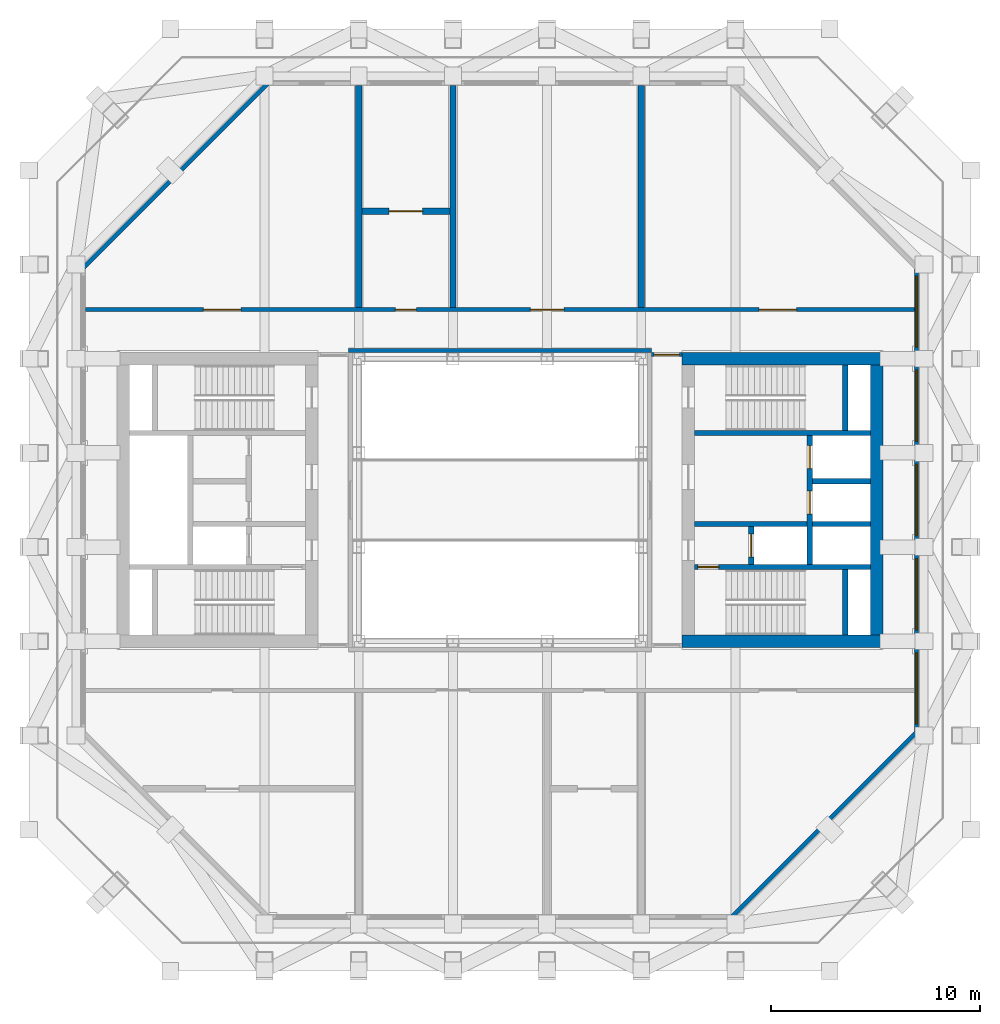
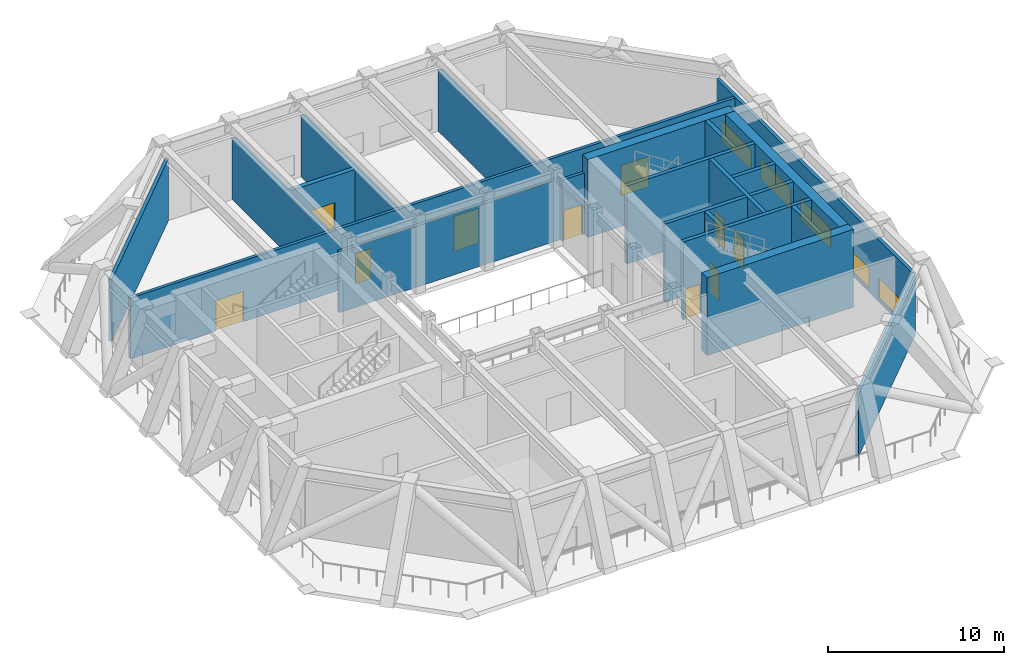
# One storey, part 4 of 8: 22 walls, 10 doors, 5 windows, 15 openings.
"""IFC4 building model written with IfcOpenShell, lengths in metres."""

from ifc_helpers import new_model, si_unit, direction, frame, frame_2d, origin, place, context, subcontext, project, spatial, rectangle, extrude, material, layer, layer_set, type_object, element, fill, save


model = new_model("IFC4")

# Units and contexts
model_context = context("Model", 3, precision=1e-05, world=origin(), true_north=direction((0.0, 1.0)))
body_context = subcontext(model_context, "Body", "Model", "MODEL_VIEW")
ifc_project = project(units=[si_unit("LENGTHUNIT", "METRE"), si_unit("AREAUNIT", "SQUARE_METRE"), si_unit("VOLUMEUNIT", "CUBIC_METRE"), si_unit("PLANEANGLEUNIT", "RADIAN"), si_unit("MASSUNIT", "GRAM", prefix="KILO")], contexts=[model_context])

# Site, building, storey
site_placement = place(None, origin())
site = spatial("IfcSite", under=ifc_project, at=site_placement, CompositionType="ELEMENT")
building_placement = place(site_placement, origin())
building = spatial("IfcBuilding", under=site, at=building_placement, Name="Msasa Ring Tower", CompositionType="ELEMENT")
storey_placement = place(building_placement, frame((0.0, 0.0, 190.39990234375)))
storey = spatial("IfcBuildingStorey", under=building, at=storey_placement, Name="L50", CompositionType="ELEMENT", Elevation=190.39990234375)

# Walls
ifc_material_1 = material(Name="Concrete C60/75", Category="concrete")
ifc_layer_1 = layer(ifc_material_1, 0.60009765625)
ifc_layer_set_1 = layer_set([ifc_layer_1], Name="CW2 CORE WALL 600")
wall_type_1 = type_object("IfcWallType", Name="CW2 CORE WALL 600", PredefinedType="SHEAR", material=ifc_layer_set_1)
for number, where, z_axis, x_axis, name in (
    (1, (8.699951171875, -6.75, 0.0), (0.0, 0.0, 1.0), (1.0, 0.0, 0.0), "E core wall S L50"),
    (2, (8.699951171875, 6.75, 0.0), (0.0, 0.0, 1.0), (1.0, 0.0, 0.0), "E core wall N L50"),
):
    element("IfcWall", number, at=place(storey_placement, frame(where, z_axis=z_axis, x_axis=x_axis)), inside=storey, type_object=wall_type_1, Name=name, PredefinedType="SHEAR", context=body_context, shape_type="SweptSolid", body=[
        extrude(rectangle(XDim=9.60009765625, YDim=0.60009765625, at=frame_2d((4.800048828125, 0.0))), origin(), (0.0, 0.0, 1.0), 5.400146484375),
    ])
wall_1_placement = place(storey_placement, frame((18.0, -6.449951171875, 0.0), z_axis=(0.0, 0.0, 1.0), x_axis=(0.0, 1.0, 0.0)))
element("IfcWall", 3, at=wall_1_placement, inside=storey, type_object=wall_type_1, Name="E core wall E L50", PredefinedType="SHEAR", context=body_context, shape_type="SweptSolid", body=[
    extrude(rectangle(XDim=12.89990234375, YDim=0.60009765625, at=frame_2d((6.449951171875, 0.0))), origin(), (0.0, 0.0, 1.0), 5.400146484375),
])

# Wall, opening, door
ifc_material_2 = material(Name="Concrete C60/75", Category="concrete")
ifc_layer_2 = layer(ifc_material_2, 0.25)
ifc_layer_set_2 = layer_set([ifc_layer_2], Name="CW4 CORE INNER WALL 250")
wall_type_2 = type_object("IfcWallType", Name="CW4 CORE INNER WALL 250", PredefinedType="SHEAR", material=ifc_layer_set_2)
wall_2_placement = place(storey_placement, frame((9.300048828125, -3.199951171875, 0.0), z_axis=(0.0, 0.0, 1.0), x_axis=(1.0, 0.0, 0.0)))
wall_2 = element("IfcWall", 4, at=wall_2_placement, inside=storey, type_object=wall_type_2, Name="E core wall STAIRA L50", PredefinedType="SHEAR", context=body_context, shape_type="SweptSolid", body=[
    extrude(rectangle(XDim=8.39990234375, YDim=0.25, at=frame_2d((4.199951171875, 0.0))), origin(), (0.0, 0.0, 1.0), 5.400146484375),
])
opening_1_placement = place(wall_2_placement, frame((0.14990234375, 0.0, 0.0)))
opening_1 = element("IfcOpeningElement", 5, at=opening_1_placement, cuts=wall_2, Name="Opening L50-021", PredefinedType="OPENING", context=body_context, shape_type="SweptSolid", body=[
    extrude(rectangle(XDim=1.0, YDim=2.10009765625, at=frame_2d((0.5, 1.050048828125))), frame((0.0, 0.135009765625, 0.0), z_axis=(0.0, -1.0, 0.0), x_axis=(1.0, 0.0, 0.0)), (0.0, 0.0, 1.0), 0.27001953125),
])
ifc_material_3 = material(Name="Timber door leaf in a steel frame", Category="steel")
door_type_1 = type_object("IfcDoorType", Name="D6 STAIR DOOR 1000x2100", OperationType="SINGLE_SWING_LEFT", PredefinedType="DOOR", material=ifc_material_3)
door_1_placement = place(opening_1_placement, origin())
door_1 = element("IfcDoor", 6, at=door_1_placement, inside=storey, type_object=door_type_1, Name="Door L50-ESTA", OperationType="SINGLE_SWING_LEFT", OverallHeight=2.10009765625, OverallWidth=1.0, PredefinedType="DOOR", context=body_context, shape_type="SweptSolid", body=[
    extrude(rectangle(XDim=1.0, YDim=2.10009765625, at=frame_2d((0.5, 1.050048828125))), frame((0.0, 0.02490234375, 0.0), z_axis=(0.0, -1.0, 0.0), x_axis=(1.0, 0.0, 0.0)), (0.0, 0.0, 1.0), 0.050048828125),
])
fill(opening_1, door_1)

# Walls
wall_3_placement = place(storey_placement, frame((9.300048828125, 3.199951171875, 0.0), z_axis=(0.0, 0.0, 1.0), x_axis=(1.0, 0.0, 0.0)))
element("IfcWall", 7, at=wall_3_placement, inside=storey, type_object=wall_type_2, Name="E core wall STAIRB L50", PredefinedType="SHEAR", context=body_context, shape_type="SweptSolid", body=[
    extrude(rectangle(XDim=8.39990234375, YDim=0.25, at=frame_2d((4.199951171875, 0.0))), origin(), (0.0, 0.0, 1.0), 5.400146484375),
])
for number, where, z_axis, x_axis, name in (
    (8, (16.5, -6.449951171875, 0.0), (0.0, 0.0, 1.0), (0.0, 1.0, 0.0), "E core wall RISERA L50"),
    (9, (16.5, 3.324951171875, 0.0), (0.0, 0.0, 1.0), (0.0, 1.0, 0.0), "E core wall RISERB L50"),
):
    element("IfcWall", number, at=place(storey_placement, frame(where, z_axis=z_axis, x_axis=x_axis)), inside=storey, type_object=wall_type_2, Name=name, PredefinedType="SHEAR", context=body_context, shape_type="SweptSolid", body=[
        extrude(rectangle(XDim=3.125, YDim=0.25, at=frame_2d((1.5625, 0.0))), origin(), (0.0, 0.0, 1.0), 5.400146484375),
    ])
wall_4_placement = place(storey_placement, frame((9.300048828125, -1.14990234375, 0.0), z_axis=(0.0, 0.0, 1.0), x_axis=(1.0, 0.0, 0.0)))
element("IfcWall", 10, at=wall_4_placement, inside=storey, type_object=wall_type_2, Name="E core wall FFL L50", PredefinedType="SHEAR", context=body_context, shape_type="SweptSolid", body=[
    extrude(rectangle(XDim=5.375, YDim=0.25, at=frame_2d((2.6875, 0.0))), origin(), (0.0, 0.0, 1.0), 5.400146484375),
])

# Wall, opening, door
wall_5_placement = place(storey_placement, frame((12.0, -3.074951171875, 0.0), z_axis=(0.0, 0.0, 1.0), x_axis=(0.0, 1.0, 0.0)))
wall_5 = element("IfcWall", 11, at=wall_5_placement, inside=storey, type_object=wall_type_2, Name="E core wall LOBBY L50", PredefinedType="SHEAR", context=body_context, shape_type="SweptSolid", body=[
    extrude(rectangle(XDim=1.800048828125, YDim=0.25, at=frame_2d((0.89990234375, 0.0))), origin(), (0.0, 0.0, 1.0), 5.400146484375),
])
opening_2_placement = place(wall_5_placement, frame((0.35009765625, 0.0, 0.0)))
opening_2 = element("IfcOpeningElement", 12, at=opening_2_placement, cuts=wall_5, Name="Opening LD1", PredefinedType="OPENING", context=body_context, shape_type="SweptSolid", body=[
    extrude(rectangle(XDim=1.10009765625, YDim=2.10009765625, at=frame_2d((0.550048828125, 1.050048828125))), frame((0.0, 0.135009765625, 0.0), z_axis=(0.0, -1.0, 0.0), x_axis=(1.0, 0.0, 0.0)), (0.0, 0.0, 1.0), 0.27001953125),
])
ifc_material_4 = material(Name="Stainless steel lift landing door", Category="steel")
door_type_2 = type_object("IfcDoorType", Name="LD1 LIFT LANDING DOOR 1100x2100", OperationType="DOUBLE_DOOR_SLIDING", PredefinedType="DOOR", material=ifc_material_4)
door_2_placement = place(opening_2_placement, origin())
door_2 = element("IfcDoor", 13, at=door_2_placement, inside=storey, type_object=door_type_2, Name="Lift landing door FL-E L50", OperationType="DOUBLE_DOOR_SLIDING", OverallHeight=2.10009765625, OverallWidth=1.10009765625, PredefinedType="DOOR", context=body_context, shape_type="SweptSolid", body=[
    extrude(rectangle(XDim=1.10009765625, YDim=2.10009765625, at=frame_2d((0.550048828125, 1.050048828125))), frame((0.0, 0.02490234375, 0.0), z_axis=(0.0, -1.0, 0.0), x_axis=(1.0, 0.0, 0.0)), (0.0, 0.0, 1.0), 0.050048828125),
])
fill(opening_2, door_2)

# Wall, openings, doors
wall_6_placement = place(storey_placement, frame((14.800048828125, -3.074951171875, 0.0), z_axis=(0.0, 0.0, 1.0), x_axis=(0.0, 1.0, 0.0)))
wall_6 = element("IfcWall", 14, at=wall_6_placement, inside=storey, type_object=wall_type_2, Name="E core wall SHAFT L50", PredefinedType="SHEAR", context=body_context, shape_type="SweptSolid", body=[
    extrude(rectangle(XDim=6.14990234375, YDim=0.25, at=frame_2d((3.074951171875, 0.0))), origin(), (0.0, 0.0, 1.0), 5.400146484375),
])
opening_3_placement = place(wall_6_placement, frame((2.39990234375, 0.0, 0.0)))
opening_3 = element("IfcOpeningElement", 15, at=opening_3_placement, cuts=wall_6, Name="Opening LD1", PredefinedType="OPENING", context=body_context, shape_type="SweptSolid", body=[
    extrude(rectangle(XDim=1.10009765625, YDim=2.10009765625, at=frame_2d((0.550048828125, 1.050048828125))), frame((0.0, 0.135009765625, 0.0), z_axis=(0.0, -1.0, 0.0), x_axis=(1.0, 0.0, 0.0)), (0.0, 0.0, 1.0), 0.27001953125),
])
opening_4_placement = place(wall_6_placement, frame((4.574951171875, 0.0, 0.0)))
opening_4 = element("IfcOpeningElement", 16, at=opening_4_placement, cuts=wall_6, Name="Opening LD1", PredefinedType="OPENING", context=body_context, shape_type="SweptSolid", body=[
    extrude(rectangle(XDim=1.10009765625, YDim=2.10009765625, at=frame_2d((0.550048828125, 1.050048828125))), frame((0.0, 0.135009765625, 0.0), z_axis=(0.0, -1.0, 0.0), x_axis=(1.0, 0.0, 0.0)), (0.0, 0.0, 1.0), 0.27001953125),
])
door_3_placement = place(opening_3_placement, origin())
door_3 = element("IfcDoor", 17, at=door_3_placement, inside=storey, type_object=door_type_2, Name="Lift landing door PL-H1 L50", OperationType="DOUBLE_DOOR_SLIDING", OverallHeight=2.10009765625, OverallWidth=1.10009765625, PredefinedType="DOOR", context=body_context, shape_type="SweptSolid", body=[
    extrude(rectangle(XDim=1.10009765625, YDim=2.10009765625, at=frame_2d((0.550048828125, 1.050048828125))), frame((0.0, 0.02490234375, 0.0), z_axis=(0.0, -1.0, 0.0), x_axis=(1.0, 0.0, 0.0)), (0.0, 0.0, 1.0), 0.050048828125),
])
fill(opening_3, door_3)
door_4_placement = place(opening_4_placement, origin())
door_4 = element("IfcDoor", 18, at=door_4_placement, inside=storey, type_object=door_type_2, Name="Lift landing door PL-H2 L50", OperationType="DOUBLE_DOOR_SLIDING", OverallHeight=2.10009765625, OverallWidth=1.10009765625, PredefinedType="DOOR", context=body_context, shape_type="SweptSolid", body=[
    extrude(rectangle(XDim=1.10009765625, YDim=2.10009765625, at=frame_2d((0.550048828125, 1.050048828125))), frame((0.0, 0.02490234375, 0.0), z_axis=(0.0, -1.0, 0.0), x_axis=(1.0, 0.0, 0.0)), (0.0, 0.0, 1.0), 0.050048828125),
])
fill(opening_4, door_4)

# Walls
for number, where, z_axis, x_axis, name in (
    (19, (14.925048828125, -1.14990234375, 0.0), (0.0, 0.0, 1.0), (1.0, 0.0, 0.0), "E core wall HSEP L50"),
    (20, (14.925048828125, 0.89990234375, 0.0), (0.0, 0.0, 1.0), (1.0, 0.0, 0.0), "E core wall HLIFT L50"),
):
    element("IfcWall", number, at=place(storey_placement, frame(where, z_axis=z_axis, x_axis=x_axis)), inside=storey, type_object=wall_type_2, Name=name, PredefinedType="SHEAR", context=body_context, shape_type="SweptSolid", body=[
        extrude(rectangle(XDim=2.77490234375, YDim=0.25, at=frame_2d((1.387451171875, 0.0))), origin(), (0.0, 0.0, 1.0), 5.400146484375),
    ])
ifc_material_5 = material(Name="Terracotta rainscreen on blockwork", Category="masonry")
ifc_layer_3 = layer(ifc_material_5, 0.199951171875)
ifc_layer_set_3 = layer_set([ifc_layer_3], Name="FW3 PLANT FLOOR WALL 200")
wall_type_3 = type_object("IfcWallType", Name="FW3 PLANT FLOOR WALL 200", PredefinedType="SOLIDWALL", material=ifc_layer_set_3)
wall_7_placement = place(storey_placement, frame((11.10498046875, -19.89990234375, 0.0), z_axis=(0.0, 0.0, 1.0), x_axis=(0.707106781187, 0.707106781187, 0.0)))
element("IfcWall", 21, at=wall_7_placement, inside=storey, type_object=wall_type_3, Name="Plant floor wall SE L50", PredefinedType="SOLIDWALL", context=body_context, shape_type="SweptSolid", body=[
    extrude(rectangle(XDim=12.43798828125, YDim=0.199951171875, at=frame_2d((6.218994140625, 0.0))), origin(), (0.0, 0.0, 1.0), 4.29931640625),
])

# Wall, openings, windows
wall_8_placement = place(storey_placement, frame((19.89990234375, -11.10498046875, 0.0), z_axis=(0.0, 0.0, 1.0), x_axis=(0.0, 1.0, 0.0)))
wall_8 = element("IfcWall", 22, at=wall_8_placement, inside=storey, type_object=wall_type_3, Name="Plant floor wall E L50", PredefinedType="SOLIDWALL", context=body_context, shape_type="SweptSolid", body=[
    extrude(rectangle(XDim=22.2099609375, YDim=0.199951171875, at=frame_2d((11.10498046875, 0.0))), origin(), (0.0, 0.0, 1.0), 4.29931640625),
])
opening_5_placement = place(wall_8_placement, frame((0.405029296875, 0.0, 0.25)))
opening_5 = element("IfcOpeningElement", 23, at=opening_5_placement, cuts=wall_8, Name="Opening LV1", PredefinedType="OPENING", context=body_context, shape_type="SweptSolid", body=[
    extrude(rectangle(XDim=3.39990234375, YDim=1.39990234375, at=frame_2d((1.699951171875, 0.699951171875))), frame((0.0, 0.10986328125, 0.0), z_axis=(0.0, -1.0, 0.0), x_axis=(1.0, 0.0, 0.0)), (0.0, 0.0, 1.0), 0.219970703125),
])
opening_6_placement = place(wall_8_placement, frame((4.905029296875, 0.0, 0.25)))
opening_6 = element("IfcOpeningElement", 24, at=opening_6_placement, cuts=wall_8, Name="Opening LV1", PredefinedType="OPENING", context=body_context, shape_type="SweptSolid", body=[
    extrude(rectangle(XDim=3.39990234375, YDim=1.39990234375, at=frame_2d((1.699951171875, 0.699951171875))), frame((0.0, 0.10986328125, 0.0), z_axis=(0.0, -1.0, 0.0), x_axis=(1.0, 0.0, 0.0)), (0.0, 0.0, 1.0), 0.219970703125),
])
opening_7_placement = place(wall_8_placement, frame((9.405029296875, 0.0, 0.25)))
opening_7 = element("IfcOpeningElement", 25, at=opening_7_placement, cuts=wall_8, Name="Opening LV1", PredefinedType="OPENING", context=body_context, shape_type="SweptSolid", body=[
    extrude(rectangle(XDim=3.39990234375, YDim=1.39990234375, at=frame_2d((1.699951171875, 0.699951171875))), frame((0.0, 0.10986328125, 0.0), z_axis=(0.0, -1.0, 0.0), x_axis=(1.0, 0.0, 0.0)), (0.0, 0.0, 1.0), 0.219970703125),
])
opening_8_placement = place(wall_8_placement, frame((13.905029296875, 0.0, 0.25)))
opening_8 = element("IfcOpeningElement", 26, at=opening_8_placement, cuts=wall_8, Name="Opening LV1", PredefinedType="OPENING", context=body_context, shape_type="SweptSolid", body=[
    extrude(rectangle(XDim=3.39990234375, YDim=1.39990234375, at=frame_2d((1.699951171875, 0.699951171875))), frame((0.0, 0.10986328125, 0.0), z_axis=(0.0, -1.0, 0.0), x_axis=(1.0, 0.0, 0.0)), (0.0, 0.0, 1.0), 0.219970703125),
])
opening_9_placement = place(wall_8_placement, frame((18.405029296875, 0.0, 0.25)))
opening_9 = element("IfcOpeningElement", 27, at=opening_9_placement, cuts=wall_8, Name="Opening LV1", PredefinedType="OPENING", context=body_context, shape_type="SweptSolid", body=[
    extrude(rectangle(XDim=3.39990234375, YDim=1.39990234375, at=frame_2d((1.699951171875, 0.699951171875))), frame((0.0, 0.10986328125, 0.0), z_axis=(0.0, -1.0, 0.0), x_axis=(1.0, 0.0, 0.0)), (0.0, 0.0, 1.0), 0.219970703125),
])
ifc_material_6 = material(Name="Aluminium weather louvre", Category="aluminium")
window_type = type_object("IfcWindowType", Name="LV1 PLANT LOUVRE 3400x1400", PartitioningType="SINGLE_PANEL", PredefinedType="USERDEFINED", material=ifc_material_6)
window_1_placement = place(opening_5_placement, origin())
window_1 = element("IfcWindow", 28, at=window_1_placement, inside=storey, type_object=window_type, Name="Plant louvre E L50 00", ObjectType="LOUVRE", OverallHeight=1.39990234375, OverallWidth=3.39990234375, PartitioningType="SINGLE_PANEL", PredefinedType="USERDEFINED", context=body_context, shape_type="SweptSolid", body=[
    extrude(rectangle(XDim=3.39990234375, YDim=1.39990234375, at=frame_2d((1.699951171875, 0.699951171875))), frame((0.0, 0.030029296875, 0.0), z_axis=(0.0, -1.0, 0.0), x_axis=(1.0, 0.0, 0.0)), (0.0, 0.0, 1.0), 0.06005859375),
])
fill(opening_5, window_1)
window_2_placement = place(opening_6_placement, origin())
window_2 = element("IfcWindow", 29, at=window_2_placement, inside=storey, type_object=window_type, Name="Plant louvre E L50 01", ObjectType="LOUVRE", OverallHeight=1.39990234375, OverallWidth=3.39990234375, PartitioningType="SINGLE_PANEL", PredefinedType="USERDEFINED", context=body_context, shape_type="SweptSolid", body=[
    extrude(rectangle(XDim=3.39990234375, YDim=1.39990234375, at=frame_2d((1.699951171875, 0.699951171875))), frame((0.0, 0.030029296875, 0.0), z_axis=(0.0, -1.0, 0.0), x_axis=(1.0, 0.0, 0.0)), (0.0, 0.0, 1.0), 0.06005859375),
])
fill(opening_6, window_2)
window_3_placement = place(opening_7_placement, origin())
window_3 = element("IfcWindow", 30, at=window_3_placement, inside=storey, type_object=window_type, Name="Plant louvre E L50 02", ObjectType="LOUVRE", OverallHeight=1.39990234375, OverallWidth=3.39990234375, PartitioningType="SINGLE_PANEL", PredefinedType="USERDEFINED", context=body_context, shape_type="SweptSolid", body=[
    extrude(rectangle(XDim=3.39990234375, YDim=1.39990234375, at=frame_2d((1.699951171875, 0.699951171875))), frame((0.0, 0.030029296875, 0.0), z_axis=(0.0, -1.0, 0.0), x_axis=(1.0, 0.0, 0.0)), (0.0, 0.0, 1.0), 0.06005859375),
])
fill(opening_7, window_3)
window_4_placement = place(opening_8_placement, origin())
window_4 = element("IfcWindow", 31, at=window_4_placement, inside=storey, type_object=window_type, Name="Plant louvre E L50 03", ObjectType="LOUVRE", OverallHeight=1.39990234375, OverallWidth=3.39990234375, PartitioningType="SINGLE_PANEL", PredefinedType="USERDEFINED", context=body_context, shape_type="SweptSolid", body=[
    extrude(rectangle(XDim=3.39990234375, YDim=1.39990234375, at=frame_2d((1.699951171875, 0.699951171875))), frame((0.0, 0.030029296875, 0.0), z_axis=(0.0, -1.0, 0.0), x_axis=(1.0, 0.0, 0.0)), (0.0, 0.0, 1.0), 0.06005859375),
])
fill(opening_8, window_4)
window_5_placement = place(opening_9_placement, origin())
window_5 = element("IfcWindow", 32, at=window_5_placement, inside=storey, type_object=window_type, Name="Plant louvre E L50 04", ObjectType="LOUVRE", OverallHeight=1.39990234375, OverallWidth=3.39990234375, PartitioningType="SINGLE_PANEL", PredefinedType="USERDEFINED", context=body_context, shape_type="SweptSolid", body=[
    extrude(rectangle(XDim=3.39990234375, YDim=1.39990234375, at=frame_2d((1.699951171875, 0.699951171875))), frame((0.0, 0.030029296875, 0.0), z_axis=(0.0, -1.0, 0.0), x_axis=(1.0, 0.0, 0.0)), (0.0, 0.0, 1.0), 0.06005859375),
])
fill(opening_9, window_5)

# Walls
wall_9_placement = place(storey_placement, frame((-19.89990234375, 11.10498046875, 0.0), z_axis=(0.0, 0.0, 1.0), x_axis=(0.707106781187, 0.707106781187, 0.0)))
element("IfcWall", 33, at=wall_9_placement, inside=storey, type_object=wall_type_3, Name="Plant floor wall NW L50", PredefinedType="SOLIDWALL", context=body_context, shape_type="SweptSolid", body=[
    extrude(rectangle(XDim=12.43798828125, YDim=0.199951171875, at=frame_2d((6.218994140625, 0.0))), origin(), (0.0, 0.0, 1.0), 4.29931640625),
])
ifc_material_7 = material(Name="Terracotta rainscreen on blockwork", Category="masonry")
ifc_layer_4 = layer(ifc_material_7, 0.199951171875)
ifc_layer_set_4 = layer_set([ifc_layer_4], Name="FW4 LIGHT WELL WALL 200")
wall_type_4 = type_object("IfcWallType", Name="FW4 LIGHT WELL WALL 200", PredefinedType="SOLIDWALL", material=ifc_layer_set_4)
wall_10_placement = place(storey_placement, frame((-7.25, 7.14990234375, 0.0), z_axis=(0.0, 0.0, 1.0), x_axis=(1.0, 0.0, 0.0)))
element("IfcWall", 34, at=wall_10_placement, inside=storey, type_object=wall_type_4, Name="Light well wall N L50", PredefinedType="SOLIDWALL", context=body_context, shape_type="SweptSolid", body=[
    extrude(rectangle(XDim=14.5, YDim=0.199951171875, at=frame_2d((7.25, 0.0))), origin(), (0.0, 0.0, 1.0), 4.22900390625),
])

# Wall, opening, door
ifc_material_8 = material(Name="Concrete blockwork", Category="masonry")
ifc_layer_5 = layer(ifc_material_8, 0.199951171875)
ifc_layer_set_5 = layer_set([ifc_layer_5], Name="PT1 CORRIDOR WALL 200")
wall_type_5 = type_object("IfcWallType", Name="PT1 CORRIDOR WALL 200", PredefinedType="PARTITIONING", material=ifc_layer_set_5)
wall_11_placement = place(storey_placement, frame((7.22998046875, 6.949951171875, 0.0), z_axis=(0.0, 0.0, 1.0), x_axis=(1.0, 0.0, 0.0)))
wall_11 = element("IfcWall", 35, at=wall_11_placement, inside=storey, type_object=wall_type_5, Name="Corridor wall L50-SDEN", PredefinedType="PARTITIONING", context=body_context, shape_type="SweptSolid", body=[
    extrude(rectangle(XDim=1.469970703125, YDim=0.199951171875, at=frame_2d((0.73486328125, 0.0))), origin(), (0.0, 0.0, 1.0), 4.22900390625),
])
opening_10_placement = place(wall_11_placement, frame((0.135009765625, 0.0, 0.0)))
opening_10 = element("IfcOpeningElement", 36, at=opening_10_placement, cuts=wall_11, Name="Opening L50-009", PredefinedType="OPENING", context=body_context, shape_type="SweptSolid", body=[
    extrude(rectangle(XDim=1.199951171875, YDim=2.10009765625, at=frame_2d((0.60009765625, 1.050048828125))), frame((0.0, 0.10986328125, 0.0), z_axis=(0.0, -1.0, 0.0), x_axis=(1.0, 0.0, 0.0)), (0.0, 0.0, 1.0), 0.219970703125),
])
ifc_material_9 = material(Name="Timber door leaf in a steel frame", Category="steel")
door_type_3 = type_object("IfcDoorType", Name="D25 CORRIDOR PAIR OF SMOKE DOORS 1200x2100", OperationType="DOUBLE_DOOR_DOUBLE_SWING", PredefinedType="DOOR", material=ifc_material_9)
door_5_placement = place(opening_10_placement, origin())
door_5 = element("IfcDoor", 37, at=door_5_placement, inside=storey, type_object=door_type_3, Name="Door L50-SDEN", OperationType="DOUBLE_DOOR_DOUBLE_SWING", OverallHeight=2.10009765625, OverallWidth=1.199951171875, PredefinedType="DOOR", context=body_context, shape_type="SweptSolid", body=[
    extrude(rectangle(XDim=1.199951171875, YDim=2.10009765625, at=frame_2d((0.60009765625, 1.050048828125))), frame((0.0, 0.02490234375, 0.0), z_axis=(0.0, -1.0, 0.0), x_axis=(1.0, 0.0, 0.0)), (0.0, 0.0, 1.0), 0.050048828125),
])
fill(opening_10, door_5)

# Wall, openings, doors
wall_12_placement = place(storey_placement, frame((-19.800048828125, 9.10009765625, 0.0), z_axis=(0.0, 0.0, 1.0), x_axis=(1.0, 0.0, 0.0)))
wall_12 = element("IfcWall", 38, at=wall_12_placement, inside=storey, type_object=wall_type_5, Name="Corridor wall L50-CORRN0", PredefinedType="PARTITIONING", context=body_context, shape_type="SweptSolid", body=[
    extrude(rectangle(XDim=39.60009765625, YDim=0.199951171875, at=frame_2d((19.800048828125, 0.0))), origin(), (0.0, 0.0, 1.0), 4.22900390625),
])
opening_11_placement = place(wall_12_placement, frame((5.625, 0.0, 0.0)))
opening_11 = element("IfcOpeningElement", 39, at=opening_11_placement, cuts=wall_12, Name="Opening L50-004", PredefinedType="OPENING", context=body_context, shape_type="SweptSolid", body=[
    extrude(rectangle(XDim=1.800048828125, YDim=2.10009765625, at=frame_2d((0.89990234375, 1.050048828125))), frame((0.0, 0.10986328125, 0.0), z_axis=(0.0, -1.0, 0.0), x_axis=(1.0, 0.0, 0.0)), (0.0, 0.0, 1.0), 0.219970703125),
])
opening_12_placement = place(wall_12_placement, frame((14.800048828125, 0.0, 0.0)))
opening_12 = element("IfcOpeningElement", 40, at=opening_12_placement, cuts=wall_12, Name="Opening L50-005", PredefinedType="OPENING", context=body_context, shape_type="SweptSolid", body=[
    extrude(rectangle(XDim=1.0, YDim=2.10009765625, at=frame_2d((0.5, 1.050048828125))), frame((0.0, 0.10986328125, 0.0), z_axis=(0.0, -1.0, 0.0), x_axis=(1.0, 0.0, 0.0)), (0.0, 0.0, 1.0), 0.219970703125),
])
opening_13_placement = place(wall_12_placement, frame((21.25, 0.0, 0.0)))
opening_13 = element("IfcOpeningElement", 41, at=opening_13_placement, cuts=wall_12, Name="Opening L50-006", PredefinedType="OPENING", context=body_context, shape_type="SweptSolid", body=[
    extrude(rectangle(XDim=1.60009765625, YDim=2.39990234375, at=frame_2d((0.800048828125, 1.199951171875))), frame((0.0, 0.10986328125, 0.0), z_axis=(0.0, -1.0, 0.0), x_axis=(1.0, 0.0, 0.0)), (0.0, 0.0, 1.0), 0.219970703125),
])
opening_14_placement = place(wall_12_placement, frame((32.175048828125, 0.0, 0.0)))
opening_14 = element("IfcOpeningElement", 42, at=opening_14_placement, cuts=wall_12, Name="Opening L50-007", PredefinedType="OPENING", context=body_context, shape_type="SweptSolid", body=[
    extrude(rectangle(XDim=1.800048828125, YDim=2.10009765625, at=frame_2d((0.89990234375, 1.050048828125))), frame((0.0, 0.10986328125, 0.0), z_axis=(0.0, -1.0, 0.0), x_axis=(1.0, 0.0, 0.0)), (0.0, 0.0, 1.0), 0.219970703125),
])
ifc_material_10 = material(Name="Timber door leaf in a steel frame", Category="steel")
door_type_4 = type_object("IfcDoorType", Name="D13 PLANT ROOM DOOR 1000x2100", OperationType="SINGLE_SWING_LEFT", PredefinedType="DOOR", material=ifc_material_10)
door_6_placement = place(opening_12_placement, origin())
door_6 = element("IfcDoor", 43, at=door_6_placement, inside=storey, type_object=door_type_4, Name="Door L50-PLN1A", OperationType="SINGLE_SWING_LEFT", OverallHeight=2.10009765625, OverallWidth=1.0, PredefinedType="DOOR", context=body_context, shape_type="SweptSolid", body=[
    extrude(rectangle(XDim=1.0, YDim=2.10009765625, at=frame_2d((0.5, 1.050048828125))), frame((0.0, 0.02490234375, 0.0), z_axis=(0.0, -1.0, 0.0), x_axis=(1.0, 0.0, 0.0)), (0.0, 0.0, 1.0), 0.050048828125),
])
fill(opening_12, door_6)
ifc_material_11 = material(Name="Timber door leaf in a steel frame", Category="steel")
door_type_5 = type_object("IfcDoorType", Name="D20 PLANT ROOM PAIR OF DOORS 1600x2400", OperationType="SINGLE_SWING_LEFT", PredefinedType="DOOR", material=ifc_material_11)
door_7_placement = place(opening_13_placement, origin())
door_7 = element("IfcDoor", 44, at=door_7_placement, inside=storey, type_object=door_type_5, Name="Door L50-PLN2", OperationType="SINGLE_SWING_RIGHT", OverallHeight=2.39990234375, OverallWidth=1.60009765625, PredefinedType="DOOR", context=body_context, shape_type="SweptSolid", body=[
    extrude(rectangle(XDim=1.60009765625, YDim=2.39990234375, at=frame_2d((0.800048828125, 1.199951171875))), frame((0.0, 0.02490234375, 0.0), z_axis=(0.0, -1.0, 0.0), x_axis=(1.0, 0.0, 0.0)), (0.0, 0.0, 1.0), 0.050048828125),
])
fill(opening_13, door_7)
ifc_material_12 = material(Name="Timber door leaf in a steel frame", Category="steel")
door_type_6 = type_object("IfcDoorType", Name="D51 REFUGE AREA PAIR OF DOORS 1800x2100", OperationType="SINGLE_SWING_LEFT", PredefinedType="DOOR", material=ifc_material_12)
door_8_placement = place(opening_11_placement, origin())
door_8 = element("IfcDoor", 45, at=door_8_placement, inside=storey, type_object=door_type_6, Name="Door L50-PLN0", OperationType="SINGLE_SWING_LEFT", OverallHeight=2.10009765625, OverallWidth=1.800048828125, PredefinedType="DOOR", context=body_context, shape_type="SweptSolid", body=[
    extrude(rectangle(XDim=1.800048828125, YDim=2.10009765625, at=frame_2d((0.89990234375, 1.050048828125))), frame((0.0, 0.02490234375, 0.0), z_axis=(0.0, -1.0, 0.0), x_axis=(1.0, 0.0, 0.0)), (0.0, 0.0, 1.0), 0.050048828125),
])
fill(opening_11, door_8)
door_9_placement = place(opening_14_placement, origin())
door_9 = element("IfcDoor", 46, at=door_9_placement, inside=storey, type_object=door_type_6, Name="Door L50-PLN3", OperationType="SINGLE_SWING_RIGHT", OverallHeight=2.10009765625, OverallWidth=1.800048828125, PredefinedType="DOOR", context=body_context, shape_type="SweptSolid", body=[
    extrude(rectangle(XDim=1.800048828125, YDim=2.10009765625, at=frame_2d((0.89990234375, 1.050048828125))), frame((0.0, 0.02490234375, 0.0), z_axis=(0.0, -1.0, 0.0), x_axis=(1.0, 0.0, 0.0)), (0.0, 0.0, 1.0), 0.050048828125),
])
fill(opening_14, door_9)

# Wall
ifc_material_13 = material(Name="Dense concrete blockwork, fair faced", Category="masonry")
ifc_layer_6 = layer(ifc_material_13, 0.300048828125)
ifc_layer_set_6 = layer_set([ifc_layer_6], Name="PT7 PLANT ROOM WALL 300")
wall_type_6 = type_object("IfcWallType", Name="PT7 PLANT ROOM WALL 300", PredefinedType="PARTITIONING", material=ifc_layer_set_6)
wall_13_placement = place(storey_placement, frame((-6.75, 9.199951171875, 0.0), z_axis=(0.0, 0.0, 1.0), x_axis=(0.0, 1.0, 0.0)))
element("IfcWall", 47, at=wall_13_placement, inside=storey, type_object=wall_type_6, Name="Partition L50-PLNW1", PredefinedType="PARTITIONING", context=body_context, shape_type="SweptSolid", body=[
    extrude(rectangle(XDim=10.60009765625, YDim=0.300048828125, at=frame_2d((5.300048828125, 0.0))), origin(), (0.0, 0.0, 1.0), 4.22900390625),
])

# Wall, opening, door
wall_14_placement = place(storey_placement, frame((-6.60009765625, 13.800048828125, 0.0), z_axis=(0.0, 0.0, 1.0), x_axis=(1.0, 0.0, 0.0)))
wall_14 = element("IfcWall", 48, at=wall_14_placement, inside=storey, type_object=wall_type_6, Name="Partition L50-PLNS1", PredefinedType="PARTITIONING", context=body_context, shape_type="SweptSolid", body=[
    extrude(rectangle(XDim=4.2001953125, YDim=0.300048828125, at=frame_2d((2.10009765625, 0.0))), origin(), (0.0, 0.0, 1.0), 4.22900390625),
])
opening_15_placement = place(wall_14_placement, frame((1.300048828125, 0.0, 0.0)))
opening_15 = element("IfcOpeningElement", 49, at=opening_15_placement, cuts=wall_14, Name="Opening L50-003", PredefinedType="OPENING", context=body_context, shape_type="SweptSolid", body=[
    extrude(rectangle(XDim=1.60009765625, YDim=2.39990234375, at=frame_2d((0.800048828125, 1.199951171875))), frame((0.0, 0.159912109375, 0.0), z_axis=(0.0, -1.0, 0.0), x_axis=(1.0, 0.0, 0.0)), (0.0, 0.0, 1.0), 0.320068359375),
])
door_10_placement = place(opening_15_placement, origin())
door_10 = element("IfcDoor", 50, at=door_10_placement, inside=storey, type_object=door_type_5, Name="Door L50-PLN1B", OperationType="SINGLE_SWING_LEFT", OverallHeight=2.39990234375, OverallWidth=1.60009765625, PredefinedType="DOOR", context=body_context, shape_type="SweptSolid", body=[
    extrude(rectangle(XDim=1.60009765625, YDim=2.39990234375, at=frame_2d((0.800048828125, 1.199951171875))), frame((0.0, 0.02490234375, 0.0), z_axis=(0.0, -1.0, 0.0), x_axis=(1.0, 0.0, 0.0)), (0.0, 0.0, 1.0), 0.050048828125),
])
fill(opening_15, door_10)

# Walls
for number, where, z_axis, x_axis, name in (
    (51, (-2.25, 9.199951171875, 0.0), (0.0, 0.0, 1.0), (0.0, 1.0, 0.0), "Partition L50-PLNW2"),
    (52, (6.75, 9.199951171875, 0.0), (0.0, 0.0, 1.0), (0.0, 1.0, 0.0), "Partition L50-PLNW3"),
):
    element("IfcWall", number, at=place(storey_placement, frame(where, z_axis=z_axis, x_axis=x_axis)), inside=storey, type_object=wall_type_6, Name=name, PredefinedType="PARTITIONING", context=body_context, shape_type="SweptSolid", body=[
        extrude(rectangle(XDim=10.60009765625, YDim=0.300048828125, at=frame_2d((5.300048828125, 0.0))), origin(), (0.0, 0.0, 1.0), 4.22900390625),
    ])

save(model, "model.ifc")
